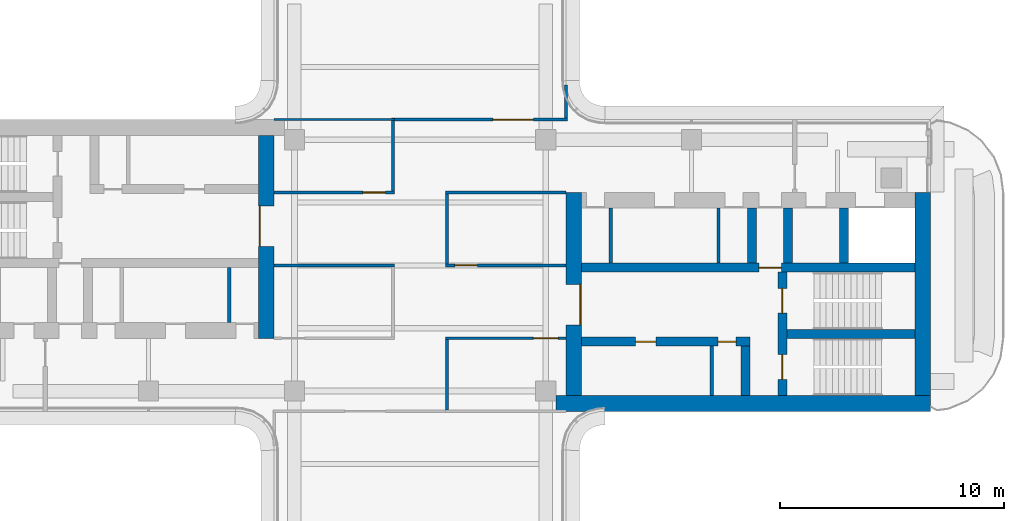
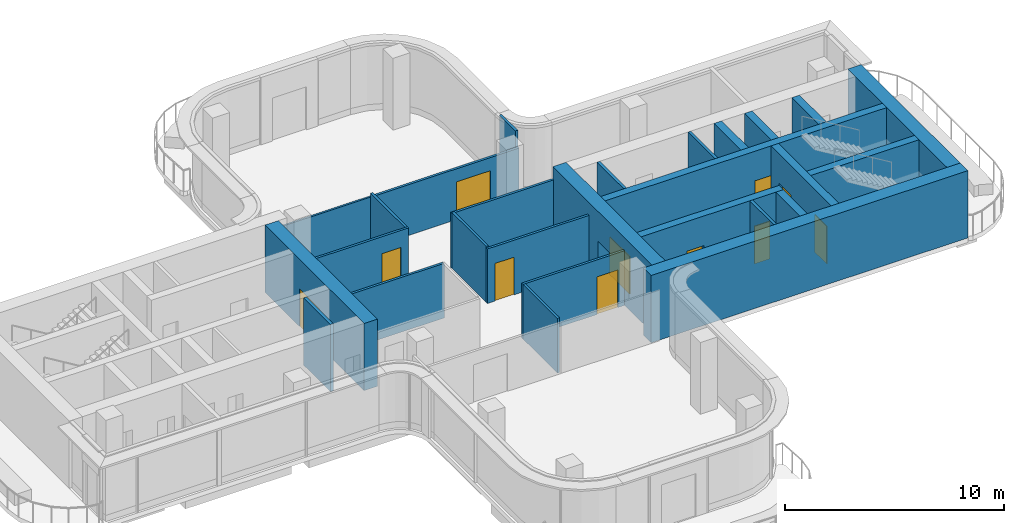
# One storey, part 15 of 18: 27 walls, 11 doors, 11 openings.
"""IFC4 building model written with IfcOpenShell, lengths in metres."""

from ifc_helpers import new_model, si_unit, direction, frame, frame_2d, origin, place, context, subcontext, project, spatial, rectangle, extrude, source, transform, mapped, material, layer, layer_set, type_object, element, fill, save


model = new_model("IFC4")

# Units and contexts
model_context = context("Model", 3, precision=1e-05, world=origin(), true_north=direction((0.0, 1.0)))
body_context = subcontext(model_context, "Body", "Model", "MODEL_VIEW")
ifc_project = project(units=[si_unit("LENGTHUNIT", "METRE"), si_unit("AREAUNIT", "SQUARE_METRE"), si_unit("VOLUMEUNIT", "CUBIC_METRE"), si_unit("PLANEANGLEUNIT", "RADIAN"), si_unit("MASSUNIT", "GRAM", prefix="KILO")], contexts=[model_context])

# Site, building, storey
site_placement = place(None, origin())
site = spatial("IfcSite", under=ifc_project, at=site_placement, CompositionType="ELEMENT")
building_placement = place(site_placement, origin())
building = spatial("IfcBuilding", under=site, at=building_placement, Name="Trellis Farm Tower", CompositionType="ELEMENT")
storey_placement = place(building_placement, frame((0.0, 0.0, 338.10009765625)))
storey = spatial("IfcBuildingStorey", under=building, at=storey_placement, Name="L76", CompositionType="ELEMENT", Elevation=338.10009765625)

# Wall, opening, door
ifc_material_1 = material(Name="Concrete C50/60", Category="concrete")
ifc_layer_1 = layer(ifc_material_1, 0.699951171875)
ifc_layer_set_1 = layer_set([ifc_layer_1], Name="CORE OUTER WALL 700 CONCRETE C50/60")
wall_type_1 = type_object("IfcWallType", Name="CORE OUTER WALL 700 CONCRETE C50/60", PredefinedType="SHEAR", material=ifc_layer_set_1)
shared_shape_1 = source(origin(), body_context, "Body", "SweptSolid", [
    extrude(rectangle(XDim=9.050048828125, YDim=0.699951171875, at=frame_2d((4.52490234375, 0.0))), origin(), (0.0, 0.0, 1.0), 3.75),
])
wall_1_placement = place(storey_placement, frame((6.85009765625, -5.800048828125, 0.0), z_axis=(0.0, 0.0, 1.0), x_axis=(0.0, 1.0, 0.0)))
wall_1 = element("IfcWall", 1, at=wall_1_placement, inside=storey, type_object=wall_type_1, Name="Core wall", PredefinedType="SHEAR", context=body_context, shape_type="MappedRepresentation", body=[
    mapped(shared_shape_1, transform((0.0, 0.0, 0.0))),
])
shared_shape_2 = source(origin(), body_context, "Body", "SweptSolid", [
    extrude(rectangle(XDim=1.800048828125, YDim=2.10009765625, at=frame_2d((0.89990234375, 1.050048828125))), frame((0.0, 0.360107421875, 0.0), z_axis=(0.0, -1.0, 0.0), x_axis=(1.0, 0.0, 0.0)), (0.0, 0.0, 1.0), 0.72021484375),
])
opening_1_placement = place(wall_1_placement, frame((3.14990234375, 0.0, 0.0)))
opening_1 = element("IfcOpeningElement", 2, at=opening_1_placement, cuts=wall_1, Name="Opening DC1", PredefinedType="OPENING", context=body_context, shape_type="MappedRepresentation", body=[
    mapped(shared_shape_2, transform((0.0, 0.0, 0.0))),
])
ifc_material_2 = material(Name="Steel", Category="steel")
door_type_1 = type_object("IfcDoorType", Name="CORE FIRE DOOR DOUBLE 1800 X 2100", OperationType="DOUBLE_DOOR_SINGLE_SWING", PredefinedType="DOOR", material=ifc_material_2)
shared_shape_3 = source(origin(), body_context, "Body", "SweptSolid", [
    extrude(rectangle(XDim=1.800048828125, YDim=2.10009765625, at=frame_2d((0.89990234375, 1.050048828125))), frame((0.0, -0.27490234375, 0.0), z_axis=(0.0, -1.0, 0.0), x_axis=(1.0, 0.0, 0.0)), (0.0, 0.0, 1.0), 0.050048828125),
])
door_1_placement = place(opening_1_placement, origin())
door_1 = element("IfcDoor", 3, at=door_1_placement, inside=storey, type_object=door_type_1, Name="Core door", OperationType="DOUBLE_DOOR_SINGLE_SWING", OverallHeight=2.10009765625, OverallWidth=1.800048828125, PredefinedType="DOOR", context=body_context, shape_type="MappedRepresentation", body=[
    mapped(shared_shape_3, transform((0.0, 0.0, 0.0))),
])
fill(opening_1, door_1)

# Wall
wall_2_placement = place(storey_placement, frame((22.39990234375, -5.800048828125, 0.0), z_axis=(0.0, 0.0, 1.0), x_axis=(0.0, 1.0, 0.0)))
element("IfcWall", 4, at=wall_2_placement, inside=storey, type_object=wall_type_1, Name="Core wall", PredefinedType="SHEAR", context=body_context, shape_type="MappedRepresentation", body=[
    mapped(shared_shape_1, transform((0.0, 0.0, 0.0))),
])

# Wall, opening, door
wall_3_placement = place(storey_placement, frame((-6.85009765625, 5.800048828125, 0.0), z_axis=(0.0, 0.0, 1.0), x_axis=(0.0, -1.0, 0.0)))
wall_3 = element("IfcWall", 5, at=wall_3_placement, inside=storey, type_object=wall_type_1, Name="Core wall", PredefinedType="SHEAR", context=body_context, shape_type="MappedRepresentation", body=[
    mapped(shared_shape_1, transform((0.0, 0.0, 0.0))),
])
opening_2_placement = place(wall_3_placement, frame((3.14990234375, 0.0, 0.0)))
opening_2 = element("IfcOpeningElement", 6, at=opening_2_placement, cuts=wall_3, Name="Opening DC87", PredefinedType="OPENING", context=body_context, shape_type="MappedRepresentation", body=[
    mapped(shared_shape_2, transform((0.0, 0.0, 0.0))),
])
door_2_placement = place(opening_2_placement, origin())
door_2 = element("IfcDoor", 7, at=door_2_placement, inside=storey, type_object=door_type_1, Name="Core door", OperationType="DOUBLE_DOOR_SINGLE_SWING", OverallHeight=2.10009765625, OverallWidth=1.800048828125, PredefinedType="DOOR", context=body_context, shape_type="MappedRepresentation", body=[
    mapped(shared_shape_3, transform((0.0, 0.0, 0.0))),
])
fill(opening_2, door_2)

# Walls
ifc_layer_2 = layer(ifc_material_1, 0.39990234375)
ifc_layer_set_2 = layer_set([ifc_layer_2], Name="CORE INNER WALL 400 CONCRETE C50/60")
wall_type_2 = type_object("IfcWallType", Name="CORE INNER WALL 400 CONCRETE C50/60", PredefinedType="SHEAR", material=ifc_layer_set_2)
shared_shape_4 = source(origin(), body_context, "Body", "SweptSolid", [
    extrude(rectangle(XDim=2.449951171875, YDim=0.39990234375, at=frame_2d((1.22509765625, 0.0))), origin(), (0.0, 0.0, 1.0), 3.75),
])
for number, where, z_axis, x_axis, name in (
    (8, (14.800048828125, 0.10009765625, 0.0), (0.0, 0.0, 1.0), (0.0, 1.0, 0.0), "Core wall"),
    (9, (16.39990234375, 0.10009765625, 0.0), (0.0, 0.0, 1.0), (0.0, 1.0, 0.0), "Core wall"),
    (10, (18.89990234375, 0.10009765625, 0.0), (0.0, 0.0, 1.0), (0.0, 1.0, 0.0), "Core wall"),
):
    element("IfcWall", number, at=place(storey_placement, frame(where, z_axis=z_axis, x_axis=x_axis)), inside=storey, type_object=wall_type_2, Name=name, PredefinedType="SHEAR", context=body_context, shape_type="MappedRepresentation", body=[
        mapped(shared_shape_4, transform((0.0, 0.0, 0.0))),
    ])
ifc_material_3 = material(Name="Masonry blockwork", Category="masonry")
ifc_layer_3 = layer(ifc_material_3, 0.14990234375)
ifc_layer_set_3 = layer_set([ifc_layer_3], Name="CORE PARTITION 150 BLOCKWORK")
wall_type_3 = type_object("IfcWallType", Name="CORE PARTITION 150 BLOCKWORK", PredefinedType="PARTITIONING", material=ifc_layer_set_3)
shared_shape_5 = source(origin(), body_context, "Body", "SweptSolid", [
    extrude(rectangle(XDim=2.449951171875, YDim=0.14990234375, at=frame_2d((1.22509765625, 0.0))), origin(), (0.0, 0.0, 1.0), 3.75),
])
for number, where, z_axis, x_axis, name in (
    (11, (8.5, 0.10009765625, 0.0), (0.0, 0.0, 1.0), (0.0, 1.0, 0.0), "Core room partition"),
    (12, (13.300048828125, 0.10009765625, 0.0), (0.0, 0.0, 1.0), (0.0, 1.0, 0.0), "Core room partition"),
    (13, (-8.5, -0.10009765625, 0.0), (0.0, 0.0, 1.0), (0.0, -1.0, 0.0), "Core room partition"),
):
    element("IfcWall", number, at=place(storey_placement, frame(where, z_axis=z_axis, x_axis=x_axis)), inside=storey, type_object=wall_type_3, Name=name, PredefinedType="PARTITIONING", context=body_context, shape_type="MappedRepresentation", body=[
        mapped(shared_shape_5, transform((0.0, 0.0, 0.0))),
    ])
shared_shape_6 = source(origin(), body_context, "Body", "SweptSolid", [
    extrude(rectangle(XDim=16.699951171875, YDim=0.699951171875, at=frame_2d((8.35009765625, 0.0))), origin(), (0.0, 0.0, 1.0), 3.75),
])
wall_4_placement = place(storey_placement, frame((6.050048828125, -6.14990234375, 0.0), z_axis=(0.0, 0.0, 1.0), x_axis=(1.0, 0.0, 0.0)))
element("IfcWall", 14, at=wall_4_placement, inside=storey, type_object=wall_type_1, Name="Core wall", PredefinedType="SHEAR", context=body_context, shape_type="MappedRepresentation", body=[
    mapped(shared_shape_6, transform((0.0, 0.0, 0.0))),
])

# Wall, openings, doors
shared_shape_7 = source(origin(), body_context, "Body", "SweptSolid", [
    extrude(rectangle(XDim=7.5, YDim=0.39990234375, at=frame_2d((3.75, 0.0))), origin(), (0.0, 0.0, 1.0), 3.75),
])
wall_5_placement = place(storey_placement, frame((7.199951171875, -3.39990234375, 0.0), z_axis=(0.0, 0.0, 1.0), x_axis=(1.0, 0.0, 0.0)))
wall_5 = element("IfcWall", 15, at=wall_5_placement, inside=storey, type_object=wall_type_2, Name="Core wall", PredefinedType="SHEAR", context=body_context, shape_type="MappedRepresentation", body=[
    mapped(shared_shape_7, transform((0.0, 0.0, 0.0))),
])
shared_shape_8 = source(origin(), body_context, "Body", "SweptSolid", [
    extrude(rectangle(XDim=0.89990234375, YDim=2.10009765625, at=frame_2d((0.449951171875, 1.050048828125))), frame((0.0, 0.2099609375, 0.0), z_axis=(0.0, -1.0, 0.0), x_axis=(1.0, 0.0, 0.0)), (0.0, 0.0, 1.0), 0.419921875),
])
opening_3_placement = place(wall_5_placement, frame((2.41259765625, 0.0, 0.0)))
opening_3 = element("IfcOpeningElement", 16, at=opening_3_placement, cuts=wall_5, Name="Opening DC53", PredefinedType="OPENING", context=body_context, shape_type="MappedRepresentation", body=[
    mapped(shared_shape_8, transform((0.0, 0.0, 0.0))),
])
shared_shape_9 = source(origin(), body_context, "Body", "SweptSolid", [
    extrude(rectangle(XDim=0.800048828125, YDim=2.10009765625, at=frame_2d((0.39990234375, 1.050048828125))), frame((0.0, 0.2099609375, 0.0), z_axis=(0.0, -1.0, 0.0), x_axis=(1.0, 0.0, 0.0)), (0.0, 0.0, 1.0), 0.419921875),
])
opening_4_placement = place(wall_5_placement, frame((6.08740234375, 0.0, 0.0)))
opening_4 = element("IfcOpeningElement", 17, at=opening_4_placement, cuts=wall_5, Name="Opening DC58", PredefinedType="OPENING", context=body_context, shape_type="MappedRepresentation", body=[
    mapped(shared_shape_9, transform((0.0, 0.0, 0.0))),
])
door_type_2 = type_object("IfcDoorType", Name="CORE FIRE DOOR 900 X 2100", OperationType="NOTDEFINED", PredefinedType="DOOR", material=ifc_material_2)
shared_shape_10 = source(origin(), body_context, "Body", "SweptSolid", [
    extrude(rectangle(XDim=0.89990234375, YDim=2.10009765625, at=frame_2d((0.449951171875, 1.050048828125))), frame((0.0, 0.02490234375, 0.0), z_axis=(0.0, -1.0, 0.0), x_axis=(1.0, 0.0, 0.0)), (0.0, 0.0, 1.0), 0.050048828125),
])
door_3_placement = place(opening_3_placement, origin())
door_3 = element("IfcDoor", 18, at=door_3_placement, inside=storey, type_object=door_type_2, Name="Core door", OperationType="SINGLE_SWING_LEFT", OverallHeight=2.10009765625, OverallWidth=0.89990234375, PredefinedType="DOOR", context=body_context, shape_type="MappedRepresentation", body=[
    mapped(shared_shape_10, transform((0.0, 0.0, 0.0))),
])
fill(opening_3, door_3)
door_type_3 = type_object("IfcDoorType", Name="CORE FIRE DOOR 800 X 2100", OperationType="NOTDEFINED", PredefinedType="DOOR", material=ifc_material_2)
shared_shape_11 = source(origin(), body_context, "Body", "SweptSolid", [
    extrude(rectangle(XDim=0.800048828125, YDim=2.10009765625, at=frame_2d((0.39990234375, 1.050048828125))), frame((0.0, 0.02490234375, 0.0), z_axis=(0.0, -1.0, 0.0), x_axis=(1.0, 0.0, 0.0)), (0.0, 0.0, 1.0), 0.050048828125),
])
door_4_placement = place(opening_4_placement, origin())
door_4 = element("IfcDoor", 19, at=door_4_placement, inside=storey, type_object=door_type_3, Name="Core door", OperationType="SINGLE_SWING_RIGHT", OverallHeight=2.10009765625, OverallWidth=0.800048828125, PredefinedType="DOOR", context=body_context, shape_type="MappedRepresentation", body=[
    mapped(shared_shape_11, transform((0.0, 0.0, 0.0))),
])
fill(opening_4, door_4)

# Wall, opening, door
shared_shape_12 = source(origin(), body_context, "Body", "SweptSolid", [
    extrude(rectangle(XDim=14.85009765625, YDim=0.39990234375, at=frame_2d((7.425048828125, 0.0))), origin(), (0.0, 0.0, 1.0), 3.75),
])
wall_6_placement = place(storey_placement, frame((7.199951171875, -0.10009765625, 0.0), z_axis=(0.0, 0.0, 1.0), x_axis=(1.0, 0.0, 0.0)))
wall_6 = element("IfcWall", 20, at=wall_6_placement, inside=storey, type_object=wall_type_2, Name="Core wall", PredefinedType="SHEAR", context=body_context, shape_type="MappedRepresentation", body=[
    mapped(shared_shape_12, transform((0.0, 0.0, 0.0))),
])
shared_shape_13 = source(origin(), body_context, "Body", "SweptSolid", [
    extrude(rectangle(XDim=1.0, YDim=2.10009765625, at=frame_2d((0.5, 1.050048828125))), frame((0.0, 0.2099609375, 0.0), z_axis=(0.0, -1.0, 0.0), x_axis=(1.0, 0.0, 0.0)), (0.0, 0.0, 1.0), 0.419921875),
])
opening_5_placement = place(wall_6_placement, frame((7.89990234375, 0.0, 0.0)))
opening_5 = element("IfcOpeningElement", 21, at=opening_5_placement, cuts=wall_6, Name="Opening DC5", PredefinedType="OPENING", context=body_context, shape_type="MappedRepresentation", body=[
    mapped(shared_shape_13, transform((0.0, 0.0, 0.0))),
])
door_type_4 = type_object("IfcDoorType", Name="CORE FIRE DOOR 1000 X 2100", OperationType="NOTDEFINED", PredefinedType="DOOR", material=ifc_material_2)
shared_shape_14 = source(origin(), body_context, "Body", "SweptSolid", [
    extrude(rectangle(XDim=1.0, YDim=2.10009765625, at=frame_2d((0.5, 1.050048828125))), frame((0.0, 0.02490234375, 0.0), z_axis=(0.0, -1.0, 0.0), x_axis=(1.0, 0.0, 0.0)), (0.0, 0.0, 1.0), 0.050048828125),
])
door_5_placement = place(opening_5_placement, origin())
door_5 = element("IfcDoor", 22, at=door_5_placement, inside=storey, type_object=door_type_4, Name="Core door", OperationType="SINGLE_SWING_RIGHT", OverallHeight=2.10009765625, OverallWidth=1.0, PredefinedType="DOOR", context=body_context, shape_type="MappedRepresentation", body=[
    mapped(shared_shape_14, transform((0.0, 0.0, 0.0))),
])
fill(opening_5, door_5)

# Wall, openings, doors
shared_shape_15 = source(origin(), body_context, "Body", "SweptSolid", [
    extrude(rectangle(XDim=5.5, YDim=0.39990234375, at=frame_2d((2.75, 0.0))), origin(), (0.0, 0.0, 1.0), 3.75),
])
wall_7_placement = place(storey_placement, frame((16.14990234375, -5.800048828125, 0.0), z_axis=(0.0, 0.0, 1.0), x_axis=(0.0, 1.0, 0.0)))
wall_7 = element("IfcWall", 23, at=wall_7_placement, inside=storey, type_object=wall_type_2, Name="Core wall", PredefinedType="SHEAR", context=body_context, shape_type="MappedRepresentation", body=[
    mapped(shared_shape_15, transform((0.0, 0.0, 0.0))),
])
shared_shape_16 = source(origin(), body_context, "Body", "SweptSolid", [
    extrude(rectangle(XDim=1.10009765625, YDim=2.10009765625, at=frame_2d((0.550048828125, 1.050048828125))), frame((0.0, 0.2099609375, 0.0), z_axis=(0.0, -1.0, 0.0), x_axis=(1.0, 0.0, 0.0)), (0.0, 0.0, 1.0), 0.419921875),
])
opening_6_placement = place(wall_7_placement, frame((0.72509765625, 0.0, 0.0)))
opening_6 = element("IfcOpeningElement", 24, at=opening_6_placement, cuts=wall_7, Name="Opening DC2", PredefinedType="OPENING", context=body_context, shape_type="MappedRepresentation", body=[
    mapped(shared_shape_16, transform((0.0, 0.0, 0.0))),
])
opening_7_placement = place(wall_7_placement, frame((3.675048828125, 0.0, 0.0)))
opening_7 = element("IfcOpeningElement", 25, at=opening_7_placement, cuts=wall_7, Name="Opening DC3", PredefinedType="OPENING", context=body_context, shape_type="MappedRepresentation", body=[
    mapped(shared_shape_16, transform((0.0, 0.0, 0.0))),
])
door_type_5 = type_object("IfcDoorType", Name="CORE FIRE DOOR 1100 X 2100", OperationType="NOTDEFINED", PredefinedType="DOOR", material=ifc_material_2)
shared_shape_17 = source(origin(), body_context, "Body", "SweptSolid", [
    extrude(rectangle(XDim=1.10009765625, YDim=2.10009765625, at=frame_2d((0.550048828125, 1.050048828125))), frame((0.0, 0.02490234375, 0.0), z_axis=(0.0, -1.0, 0.0), x_axis=(1.0, 0.0, 0.0)), (0.0, 0.0, 1.0), 0.050048828125),
])
door_6_placement = place(opening_6_placement, origin())
door_6 = element("IfcDoor", 26, at=door_6_placement, inside=storey, type_object=door_type_5, Name="Core door", OperationType="SINGLE_SWING_RIGHT", OverallHeight=2.10009765625, OverallWidth=1.10009765625, PredefinedType="DOOR", context=body_context, shape_type="MappedRepresentation", body=[
    mapped(shared_shape_17, transform((0.0, 0.0, 0.0))),
])
fill(opening_6, door_6)
door_7_placement = place(opening_7_placement, origin())
door_7 = element("IfcDoor", 27, at=door_7_placement, inside=storey, type_object=door_type_5, Name="Core door", OperationType="SINGLE_SWING_LEFT", OverallHeight=2.10009765625, OverallWidth=1.10009765625, PredefinedType="DOOR", context=body_context, shape_type="MappedRepresentation", body=[
    mapped(shared_shape_17, transform((0.0, 0.0, 0.0))),
])
fill(opening_7, door_7)

# Walls
shared_shape_18 = source(origin(), body_context, "Body", "SweptSolid", [
    extrude(rectangle(XDim=5.699951171875, YDim=0.39990234375, at=frame_2d((2.85009765625, 0.0))), origin(), (0.0, 0.0, 1.0), 3.75),
])
wall_8_placement = place(storey_placement, frame((16.35009765625, -3.050048828125, 0.0), z_axis=(0.0, 0.0, 1.0), x_axis=(1.0, 0.0, 0.0)))
element("IfcWall", 28, at=wall_8_placement, inside=storey, type_object=wall_type_2, Name="Core wall", PredefinedType="SHEAR", context=body_context, shape_type="MappedRepresentation", body=[
    mapped(shared_shape_18, transform((0.0, 0.0, 0.0))),
])
shared_shape_19 = source(origin(), body_context, "Body", "SweptSolid", [
    extrude(rectangle(XDim=2.199951171875, YDim=0.39990234375, at=frame_2d((1.10009765625, 0.0))), origin(), (0.0, 0.0, 1.0), 3.75),
])
wall_9_placement = place(storey_placement, frame((14.5, -5.800048828125, 0.0), z_axis=(0.0, 0.0, 1.0), x_axis=(0.0, 1.0, 0.0)))
element("IfcWall", 29, at=wall_9_placement, inside=storey, type_object=wall_type_2, Name="Core wall", PredefinedType="SHEAR", context=body_context, shape_type="MappedRepresentation", body=[
    mapped(shared_shape_19, transform((0.0, 0.0, 0.0))),
])
shared_shape_20 = source(origin(), body_context, "Body", "SweptSolid", [
    extrude(rectangle(XDim=2.199951171875, YDim=0.14990234375, at=frame_2d((1.10009765625, 0.0))), origin(), (0.0, 0.0, 1.0), 3.75),
])
wall_10_placement = place(storey_placement, frame((13.0, -5.800048828125, 0.0), z_axis=(0.0, 0.0, 1.0), x_axis=(0.0, 1.0, 0.0)))
element("IfcWall", 30, at=wall_10_placement, inside=storey, type_object=wall_type_3, Name="Core room partition", PredefinedType="PARTITIONING", context=body_context, shape_type="MappedRepresentation", body=[
    mapped(shared_shape_20, transform((0.0, 0.0, 0.0))),
])
ifc_material_4 = material(Name="Plasterboard on steel studs, mineral wool", Category="steel")
ifc_layer_4 = layer(ifc_material_4, 0.125)
ifc_layer_set_4 = layer_set([ifc_layer_4], Name="PARTITION 125 STUD EI 60")
wall_type_4 = type_object("IfcWallType", Name="PARTITION 125 STUD EI 60", PredefinedType="PARTITIONING", material=ifc_layer_set_4)
shared_shape_21 = source(origin(), body_context, "Body", "SweptSolid", [
    extrude(rectangle(XDim=3.137451171875, YDim=0.125, at=frame_2d((1.56884765625, 0.0))), origin(), (0.0, 0.0, 1.0), 3.04638671875),
])
for number, where, z_axis, x_axis, name in (
    (31, (-1.199951171875, 6.449951171875, 0.0), (0.0, 0.0, 1.0), (0.0, -1.0, 0.0), "Partition PW1"),
    (32, (1.199951171875, -3.3125, 0.0), (0.0, 0.0, 1.0), (0.0, -1.0, 0.0), "Partition PW1"),
):
    element("IfcWall", number, at=place(storey_placement, frame(where, z_axis=z_axis, x_axis=x_axis)), inside=storey, type_object=wall_type_4, Name=name, PredefinedType="PARTITIONING", context=body_context, shape_type="MappedRepresentation", body=[
        mapped(shared_shape_21, transform((0.0, 0.0, 0.0))),
    ])
shared_shape_22 = source(origin(), body_context, "Body", "SweptSolid", [
    extrude(rectangle(XDim=3.125, YDim=0.125, at=frame_2d((1.5625, 0.0))), origin(), (0.0, 0.0, 1.0), 3.11767578125),
])
wall_11_placement = place(storey_placement, frame((1.199951171875, 3.1875, 0.0), z_axis=(0.0, 0.0, 1.0), x_axis=(0.0, -1.0, 0.0)))
element("IfcWall", 33, at=wall_11_placement, inside=storey, type_object=wall_type_4, Name="Partition PW1", PredefinedType="PARTITIONING", context=body_context, shape_type="MappedRepresentation", body=[
    mapped(shared_shape_22, transform((0.0, 0.0, 0.0))),
])
shared_shape_23 = source(origin(), body_context, "Body", "SweptSolid", [
    extrude(rectangle(XDim=1.468994140625, YDim=0.125, at=frame_2d((0.734375, 0.0))), origin(), (0.0, 0.0, 1.0), 3.75),
])
wall_12_placement = place(storey_placement, frame((6.5, 6.5625, 0.0), z_axis=(0.0, 0.0, 1.0), x_axis=(0.0, 1.0, 0.0)))
element("IfcWall", 34, at=wall_12_placement, inside=storey, type_object=wall_type_4, Name="Partition PW1", PredefinedType="PARTITIONING", context=body_context, shape_type="MappedRepresentation", body=[
    mapped(shared_shape_23, transform((0.0, 0.0, 0.0))),
])

# Wall, opening, door
shared_shape_24 = source(origin(), body_context, "Body", "SweptSolid", [
    extrude(rectangle(XDim=5.362548828125, YDim=0.125, at=frame_2d((2.68115234375, 0.0))), origin(), (0.0, 0.0, 1.0), 3.04638671875),
])
wall_13_placement = place(storey_placement, frame((6.5, -3.25, 0.0), z_axis=(0.0, 0.0, 1.0), x_axis=(-1.0, 0.0, 0.0)))
wall_13 = element("IfcWall", 35, at=wall_13_placement, inside=storey, type_object=wall_type_4, Name="Partition PW1", PredefinedType="PARTITIONING", context=body_context, shape_type="MappedRepresentation", body=[
    mapped(shared_shape_24, transform((0.0, 0.0, 0.0))),
])
shared_shape_25 = source(origin(), body_context, "Body", "SweptSolid", [
    extrude(rectangle(XDim=1.10009765625, YDim=2.10009765625, at=frame_2d((0.550048828125, 1.050048828125))), frame((0.0, 0.072509765625, 0.0), z_axis=(0.0, -1.0, 0.0), x_axis=(1.0, 0.0, 0.0)), (0.0, 0.0, 1.0), 0.14501953125),
])
opening_8_placement = place(wall_13_placement, frame((0.35009765625, 0.0, 0.0)))
opening_8 = element("IfcOpeningElement", 36, at=opening_8_placement, cuts=wall_13, Name="Opening D501", PredefinedType="OPENING", context=body_context, shape_type="MappedRepresentation", body=[
    mapped(shared_shape_25, transform((0.0, 0.0, 0.0))),
])
ifc_material_5 = material(Name="Fire-rated timber door leaf in a hollow metal frame", Category="wood")
door_type_6 = type_object("IfcDoorType", Name="DOOR 1100x2100 FD30S", OperationType="NOTDEFINED", PredefinedType="DOOR", material=ifc_material_5)
door_8_placement = place(opening_8_placement, origin())
door_8 = element("IfcDoor", 37, at=door_8_placement, inside=storey, type_object=door_type_6, Name="Door D501", OperationType="SINGLE_SWING_LEFT", OverallHeight=2.10009765625, OverallWidth=1.10009765625, PredefinedType="DOOR", context=body_context, shape_type="MappedRepresentation", body=[
    mapped(shared_shape_17, transform((0.0, 0.0, 0.0))),
])
fill(opening_8, door_8)

# Wall
wall_14_placement = place(storey_placement, frame((-1.137451171875, 0.0, 0.0), z_axis=(0.0, 0.0, 1.0), x_axis=(-1.0, 0.0, 0.0)))
element("IfcWall", 38, at=wall_14_placement, inside=storey, type_object=wall_type_4, Name="Partition PW1", PredefinedType="PARTITIONING", context=body_context, shape_type="MappedRepresentation", body=[
    mapped(shared_shape_24, transform((0.0, 0.0, 0.0))),
])

# Wall, opening, door
wall_15_placement = place(storey_placement, frame((6.5, 0.0, 0.0), z_axis=(0.0, 0.0, 1.0), x_axis=(-1.0, 0.0, 0.0)))
wall_15 = element("IfcWall", 39, at=wall_15_placement, inside=storey, type_object=wall_type_4, Name="Partition PW1", PredefinedType="PARTITIONING", context=body_context, shape_type="MappedRepresentation", body=[
    mapped(shared_shape_24, transform((0.0, 0.0, 0.0))),
])
shared_shape_26 = source(origin(), body_context, "Body", "SweptSolid", [
    extrude(rectangle(XDim=1.0, YDim=2.10009765625, at=frame_2d((0.5, 1.050048828125))), frame((0.0, 0.072509765625, 0.0), z_axis=(0.0, -1.0, 0.0), x_axis=(1.0, 0.0, 0.0)), (0.0, 0.0, 1.0), 0.14501953125),
])
opening_9_placement = place(wall_15_placement, frame((3.949951171875, 0.0, 0.0)))
opening_9 = element("IfcOpeningElement", 40, at=opening_9_placement, cuts=wall_15, Name="Opening D102", PredefinedType="OPENING", context=body_context, shape_type="MappedRepresentation", body=[
    mapped(shared_shape_26, transform((0.0, 0.0, 0.0))),
])
door_type_7 = type_object("IfcDoorType", Name="DOOR 1000x2100 FD30S", OperationType="NOTDEFINED", PredefinedType="DOOR", material=ifc_material_5)
door_9_placement = place(opening_9_placement, origin())
door_9 = element("IfcDoor", 41, at=door_9_placement, inside=storey, type_object=door_type_7, Name="Door D102", OperationType="SINGLE_SWING_RIGHT", OverallHeight=2.10009765625, OverallWidth=1.0, PredefinedType="DOOR", context=body_context, shape_type="MappedRepresentation", body=[
    mapped(shared_shape_14, transform((0.0, 0.0, 0.0))),
])
fill(opening_9, door_9)

wall_16_placement = place(storey_placement, frame((-6.5, 3.25, 0.0), z_axis=(0.0, 0.0, 1.0), x_axis=(1.0, 0.0, 0.0)))
wall_16 = element("IfcWall", 42, at=wall_16_placement, inside=storey, type_object=wall_type_4, Name="Partition PW1", PredefinedType="PARTITIONING", context=body_context, shape_type="MappedRepresentation", body=[
    mapped(shared_shape_24, transform((0.0, 0.0, 0.0))),
])
opening_10_placement = place(wall_16_placement, frame((3.949951171875, 0.0, 0.0)))
opening_10 = element("IfcOpeningElement", 43, at=opening_10_placement, cuts=wall_16, Name="Opening D103", PredefinedType="OPENING", context=body_context, shape_type="MappedRepresentation", body=[
    mapped(shared_shape_26, transform((0.0, 0.0, 0.0))),
])
door_10_placement = place(opening_10_placement, origin())
door_10 = element("IfcDoor", 44, at=door_10_placement, inside=storey, type_object=door_type_7, Name="Door D103", OperationType="SINGLE_SWING_RIGHT", OverallHeight=2.10009765625, OverallWidth=1.0, PredefinedType="DOOR", context=body_context, shape_type="MappedRepresentation", body=[
    mapped(shared_shape_14, transform((0.0, 0.0, 0.0))),
])
fill(opening_10, door_10)

# Walls
wall_17_placement = place(storey_placement, frame((1.137451171875, 3.25, 0.0), z_axis=(0.0, 0.0, 1.0), x_axis=(1.0, 0.0, 0.0)))
element("IfcWall", 45, at=wall_17_placement, inside=storey, type_object=wall_type_4, Name="Partition PW1", PredefinedType="PARTITIONING", context=body_context, shape_type="MappedRepresentation", body=[
    mapped(shared_shape_24, transform((0.0, 0.0, 0.0))),
])
ifc_material_6 = material(Name="Plasterboard on steel studs", Category="steel")
ifc_layer_5 = layer(ifc_material_6, 0.10009765625)
ifc_layer_set_5 = layer_set([ifc_layer_5], Name="PARTITION 100 STUD EI 30")
wall_type_5 = type_object("IfcWallType", Name="PARTITION 100 STUD EI 30", PredefinedType="PARTITIONING", material=ifc_layer_set_5)
shared_shape_27 = source(origin(), body_context, "Body", "SweptSolid", [
    extrude(rectangle(XDim=5.362548828125, YDim=0.10009765625, at=frame_2d((2.68115234375, 0.0))), origin(), (0.0, 0.0, 1.0), 2.829833984375),
])
wall_18_placement = place(storey_placement, frame((-6.5, 6.5, 0.0), z_axis=(0.0, 0.0, 1.0), x_axis=(1.0, 0.0, 0.0)))
element("IfcWall", 46, at=wall_18_placement, inside=storey, type_object=wall_type_5, Name="Partition PW2", PredefinedType="PARTITIONING", context=body_context, shape_type="MappedRepresentation", body=[
    mapped(shared_shape_27, transform((0.0, 0.0, 0.0))),
])

# Wall, opening, door
shared_shape_28 = source(origin(), body_context, "Body", "SweptSolid", [
    extrude(rectangle(XDim=7.824951171875, YDim=0.125, at=frame_2d((3.91259765625, 0.0))), origin(), (0.0, 0.0, 1.0), 2.829833984375),
])
wall_19_placement = place(storey_placement, frame((-1.262451171875, 6.5, 0.0), z_axis=(0.0, 0.0, 1.0), x_axis=(1.0, 0.0, 0.0)))
wall_19 = element("IfcWall", 47, at=wall_19_placement, inside=storey, type_object=wall_type_4, Name="Partition PW1", PredefinedType="PARTITIONING", context=body_context, shape_type="MappedRepresentation", body=[
    mapped(shared_shape_28, transform((0.0, 0.0, 0.0))),
])
shared_shape_29 = source(origin(), body_context, "Body", "SweptSolid", [
    extrude(rectangle(XDim=1.800048828125, YDim=2.10009765625, at=frame_2d((0.89990234375, 1.050048828125))), frame((0.0, 0.072509765625, 0.0), z_axis=(0.0, -1.0, 0.0), x_axis=(1.0, 0.0, 0.0)), (0.0, 0.0, 1.0), 0.14501953125),
])
opening_11_placement = place(wall_19_placement, frame((4.512451171875, 0.0, 0.0)))
opening_11 = element("IfcOpeningElement", 48, at=opening_11_placement, cuts=wall_19, Name="Opening D202", PredefinedType="OPENING", context=body_context, shape_type="MappedRepresentation", body=[
    mapped(shared_shape_29, transform((0.0, 0.0, 0.0))),
])
door_type_8 = type_object("IfcDoorType", Name="DOOR PAIR 1800x2100 FD30S", OperationType="NOTDEFINED", PredefinedType="DOOR", material=ifc_material_5)
shared_shape_30 = source(origin(), body_context, "Body", "SweptSolid", [
    extrude(rectangle(XDim=1.800048828125, YDim=2.10009765625, at=frame_2d((0.89990234375, 1.050048828125))), frame((0.0, 0.02490234375, 0.0), z_axis=(0.0, -1.0, 0.0), x_axis=(1.0, 0.0, 0.0)), (0.0, 0.0, 1.0), 0.050048828125),
])
door_11_placement = place(opening_11_placement, origin())
door_11 = element("IfcDoor", 49, at=door_11_placement, inside=storey, type_object=door_type_8, Name="Door D202", OperationType="DOUBLE_DOOR_SINGLE_SWING", OverallHeight=2.10009765625, OverallWidth=1.800048828125, PredefinedType="DOOR", context=body_context, shape_type="MappedRepresentation", body=[
    mapped(shared_shape_30, transform((0.0, 0.0, 0.0))),
])
fill(opening_11, door_11)

save(model, "model.ifc")
